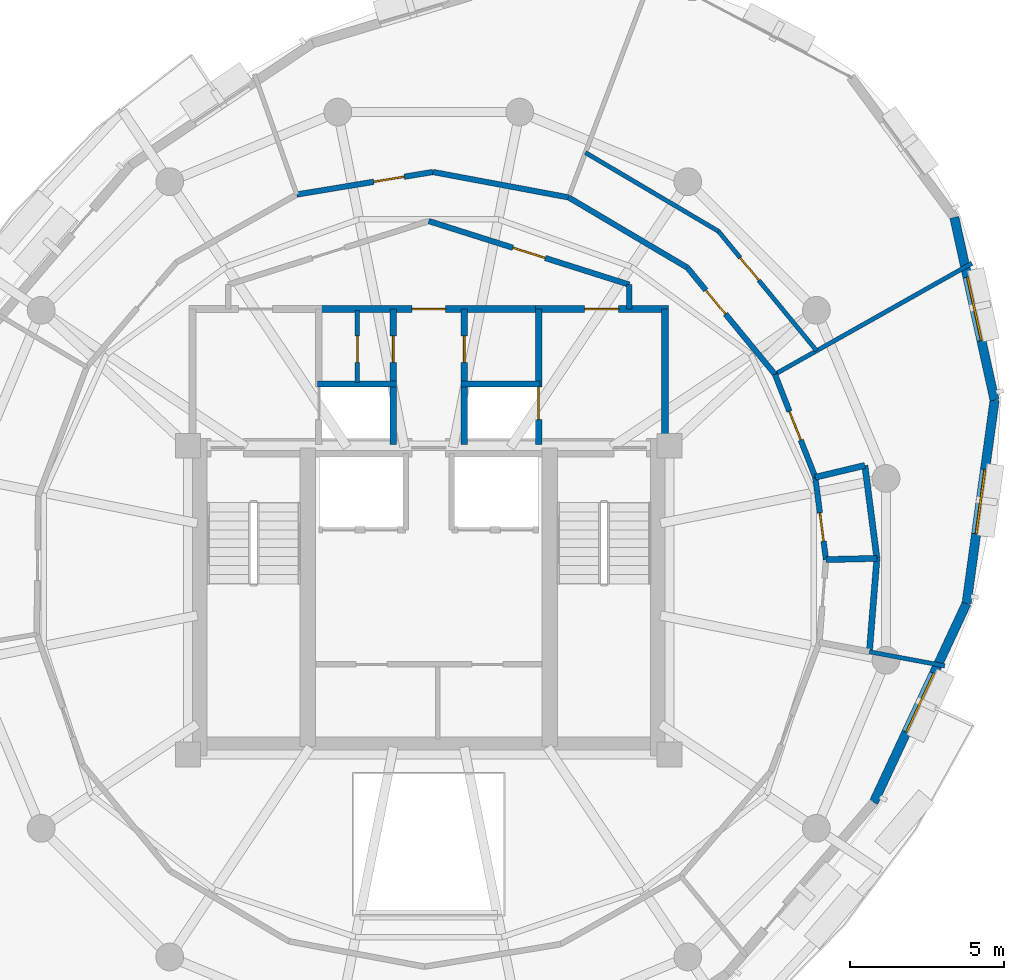
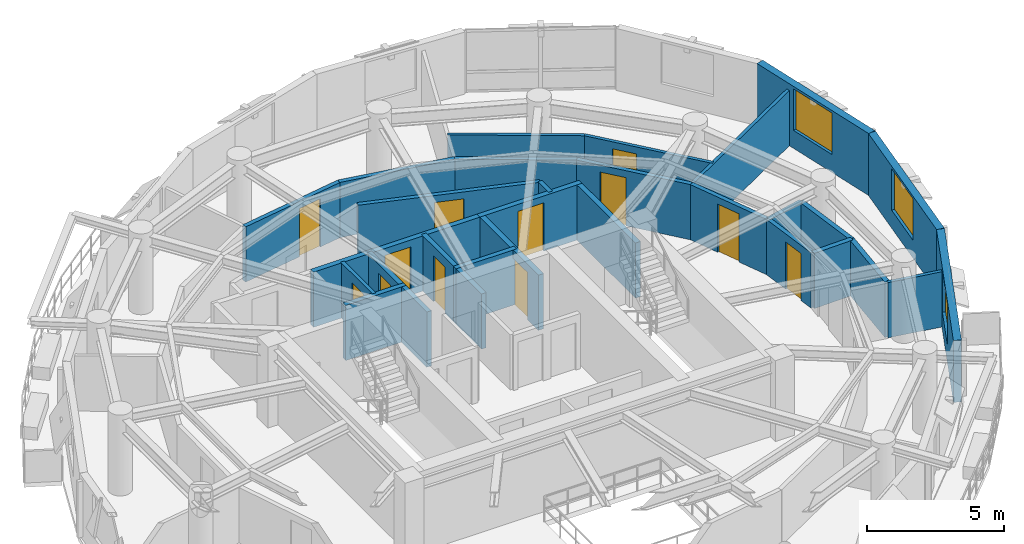
# One storey, part 8 of 11: 28 walls, 12 doors, 3 windows, 15 openings.
"""IFC4 building model written with IfcOpenShell, lengths in metres."""

from ifc_helpers import new_model, si_unit, direction, frame, frame_2d, origin, place, context, subcontext, project, spatial, rectangle, extrude, material, layer, layer_set, type_object, element, fill, save


model = new_model("IFC4")

# Units and contexts
model_context = context("Model", 3, precision=1e-05, world=origin(), true_north=direction((0.0, 1.0)))
body_context = subcontext(model_context, "Body", "Model", "MODEL_VIEW")
ifc_project = project(units=[si_unit("LENGTHUNIT", "METRE"), si_unit("AREAUNIT", "SQUARE_METRE"), si_unit("VOLUMEUNIT", "CUBIC_METRE"), si_unit("PLANEANGLEUNIT", "RADIAN"), si_unit("MASSUNIT", "GRAM", prefix="KILO"), si_unit("THERMODYNAMICTEMPERATUREUNIT", "KELVIN"), si_unit("POWERUNIT", "WATT")], contexts=[model_context])

# Site, building, storey
site_placement = place(None, origin())
site = spatial("IfcSite", under=ifc_project, at=site_placement, CompositionType="ELEMENT")
building_placement = place(site_placement, origin())
building = spatial("IfcBuilding", under=site, at=building_placement, Name="Ocrelia Relay Tower", CompositionType="ELEMENT")
storey_placement = place(building_placement, frame((0.0, 0.0, 237.60009765625)))
storey = spatial("IfcBuildingStorey", under=building, at=storey_placement, Name="L58", CompositionType="ELEMENT", Elevation=237.60009765625)

# Wall
ifc_material_1 = material(Name="Gypsum Fireboard Partition EI60", Category="gypsum")
ifc_layer_1 = layer(ifc_material_1, 0.179931640625, Name="Gypsum Fireboard Partition EI60")
ifc_layer_set_1 = layer_set([ifc_layer_1], Name="Gypsum Fireboard Partition EI60")
wall_type_1 = type_object("IfcWallType", Name="W-CORR-EI60-180", PredefinedType="PARTITIONING", material=ifc_layer_set_1)
wall_1_placement = place(storey_placement, frame((40.5, 35.218994140625, 0.0), z_axis=(0.0, 0.0, 1.0), x_axis=(0.0, -1.0, 0.0)))
element("IfcWall", 1, at=wall_1_placement, inside=storey, type_object=wall_type_1, Name="L58 Smoke Lobby East Return", PredefinedType="PARTITIONING", context=body_context, shape_type="SweptSolid", body=[
    extrude(rectangle(XDim=0.7890625, YDim=0.179931640625, at=frame_2d((0.39453125, 0.0))), origin(), (0.0, 0.0, 1.0), 2.4599609375),
])

# Wall, opening, door
wall_2_placement = place(storey_placement, frame((34.0, 37.280029296875, 0.0), z_axis=(0.0, 0.0, 1.0), x_axis=(0.953228121756, -0.302251795518, 0.0)))
wall_2 = element("IfcWall", 2, at=wall_2_placement, inside=storey, type_object=wall_type_1, Name="L58 North Smoke Lobby E Screen Wall", PredefinedType="PARTITIONING", context=body_context, shape_type="SweptSolid", body=[
    extrude(rectangle(XDim=6.81884765625, YDim=0.179931640625, at=frame_2d((3.409423828125, 0.0))), origin(), (0.0, 0.0, 1.0), 2.4599609375),
])
opening_1_placement = place(wall_2_placement, frame((2.859619140625, 0.0, 0.0)))
opening_1 = element("IfcOpeningElement", 3, at=opening_1_placement, cuts=wall_2, Name="Opening D-FD60", PredefinedType="OPENING", context=body_context, shape_type="SweptSolid", body=[
    extrude(rectangle(XDim=1.10009765625, YDim=2.14990234375, at=frame_2d((0.550048828125, 1.074951171875))), frame((0.0, 0.10009765625, 0.0), z_axis=(0.0, -1.0, 0.0), x_axis=(1.0, 0.0, 0.0)), (0.0, 0.0, 1.0), 0.199951171875),
])
ifc_material_2 = material(Name="Timber-core 60-min acoustic fire door", Category="wood")
door_type_1 = type_object("IfcDoorType", Name="DR-LOBBY-FD60-1100", OperationType="NOTDEFINED", PredefinedType="DOOR", material=ifc_material_2)
door_1_placement = place(opening_1_placement, origin())
door_1 = element("IfcDoor", 4, at=door_1_placement, inside=storey, type_object=door_type_1, Name="L58 North Smoke Lobby E Fire Door", OperationType="SINGLE_SWING_RIGHT", OverallHeight=2.14990234375, OverallWidth=1.10009765625, PredefinedType="DOOR", context=body_context, shape_type="SweptSolid", body=[
    extrude(rectangle(XDim=1.10009765625, YDim=2.14990234375, at=frame_2d((0.550048828125, 1.074951171875))), frame((0.0, 0.02490234375, 0.0), z_axis=(0.0, -1.0, 0.0), x_axis=(1.0, 0.0, 0.0)), (0.0, 0.0, 1.0), 0.050048828125),
])
fill(opening_1, door_1)

wall_3_placement = place(storey_placement, frame((46.8662109375, 26.314453125, 0.0), z_axis=(0.0, 0.0, 1.0), x_axis=(-0.128846523601, 0.991664546788, 0.0)))
wall_3 = element("IfcWall", 5, at=wall_3_placement, inside=storey, type_object=wall_type_1, Name="L58 Accessible Toilet Corridor Wall", PredefinedType="PARTITIONING", context=body_context, shape_type="SweptSolid", body=[
    extrude(rectangle(XDim=2.690673828125, YDim=0.179931640625, at=frame_2d((1.34521484375, 0.0))), origin(), (0.0, 0.0, 1.0), 2.4599609375),
])
opening_2_placement = place(wall_3_placement, frame((0.603271484375, 0.0, 0.0)))
opening_2 = element("IfcOpeningElement", 6, at=opening_2_placement, cuts=wall_3, Name="Opening D-WC92", PredefinedType="OPENING", context=body_context, shape_type="SweptSolid", body=[
    extrude(rectangle(XDim=0.919921875, YDim=2.10009765625, at=frame_2d((0.4599609375, 1.050048828125))), frame((0.0, 0.10009765625, 0.0), z_axis=(0.0, -1.0, 0.0), x_axis=(1.0, 0.0, 0.0)), (0.0, 0.0, 1.0), 0.199951171875),
])
ifc_material_3 = material(Name="Laminate washroom door", Category="wood")
door_type_2 = type_object("IfcDoorType", Name="DR-WC-920", OperationType="NOTDEFINED", PredefinedType="DOOR", material=ifc_material_3)
door_2_placement = place(opening_2_placement, origin())
door_2 = element("IfcDoor", 7, at=door_2_placement, inside=storey, type_object=door_type_2, Name="L58 Accessible Toilet Door", OperationType="SINGLE_SWING_RIGHT", OverallHeight=2.10009765625, OverallWidth=0.919921875, PredefinedType="DOOR", context=body_context, shape_type="SweptSolid", body=[
    extrude(rectangle(XDim=0.919921875, YDim=2.10009765625, at=frame_2d((0.4599609375, 1.050048828125))), frame((0.0, 0.02490234375, 0.0), z_axis=(0.0, -1.0, 0.0), x_axis=(1.0, 0.0, 0.0)), (0.0, 0.0, 1.0), 0.050048828125),
])
fill(opening_2, door_2)

wall_4_placement = place(storey_placement, frame((46.51953125, 28.982666015625, 0.0), z_axis=(0.0, 0.0, 1.0), x_axis=(-0.364895255198, 0.931048577, 0.0)))
wall_4 = element("IfcWall", 8, at=wall_4_placement, inside=storey, type_object=wall_type_1, Name="L58 Executive Telecom Office A Corridor Partition 1", PredefinedType="PARTITIONING", context=body_context, shape_type="SweptSolid", body=[
    extrude(rectangle(XDim=3.582275390625, YDim=0.179931640625, at=frame_2d((1.791015625, 0.0))), origin(), (0.0, 0.0, 1.0), 2.4599609375),
])
opening_3_placement = place(wall_4_placement, frame((1.291015625, 0.0, 0.0)))
opening_3 = element("IfcOpeningElement", 9, at=opening_3_placement, cuts=wall_4, Name="Opening D-RM100", PredefinedType="OPENING", context=body_context, shape_type="SweptSolid", body=[
    extrude(rectangle(XDim=1.0, YDim=2.14990234375, at=frame_2d((0.5, 1.074951171875))), frame((0.0, 0.10009765625, 0.0), z_axis=(0.0, -1.0, 0.0), x_axis=(1.0, 0.0, 0.0)), (0.0, 0.0, 1.0), 0.199951171875),
])
ifc_material_4 = material(Name="Acoustic oak veneer fire door", Category="wood")
door_type_3 = type_object("IfcDoorType", Name="DR-ROOM-FD60-1000", OperationType="NOTDEFINED", PredefinedType="DOOR", material=ifc_material_4)
door_3_placement = place(opening_3_placement, origin())
door_3 = element("IfcDoor", 10, at=door_3_placement, inside=storey, type_object=door_type_3, Name="L58 Executive Telecom Office A Entrance Door", OperationType="SINGLE_SWING_LEFT", OverallHeight=2.14990234375, OverallWidth=1.0, PredefinedType="DOOR", context=body_context, shape_type="SweptSolid", body=[
    extrude(rectangle(XDim=1.0, YDim=2.14990234375, at=frame_2d((0.5, 1.074951171875))), frame((0.0, 0.02490234375, 0.0), z_axis=(0.0, -1.0, 0.0), x_axis=(1.0, 0.0, 0.0)), (0.0, 0.0, 1.0), 0.050048828125),
])
fill(opening_3, door_3)

wall_5_placement = place(storey_placement, frame((45.21240234375, 32.31787109375, 0.0), z_axis=(0.0, 0.0, 1.0), x_axis=(-0.634714961422, 0.772746347611, 0.0)))
wall_5 = element("IfcWall", 11, at=wall_5_placement, inside=storey, type_object=wall_type_1, Name="L58 Counsel Office B Corridor Partition 1", PredefinedType="PARTITIONING", context=body_context, shape_type="SweptSolid", body=[
    extrude(rectangle(XDim=4.469482421875, YDim=0.179931640625, at=frame_2d((2.23486328125, 0.0))), origin(), (0.0, 0.0, 1.0), 2.4599609375),
])
opening_4_placement = place(wall_5_placement, frame((2.52734375, 0.0, 0.0)))
opening_4 = element("IfcOpeningElement", 12, at=opening_4_placement, cuts=wall_5, Name="Opening D-RM100", PredefinedType="OPENING", context=body_context, shape_type="SweptSolid", body=[
    extrude(rectangle(XDim=1.0, YDim=2.14990234375, at=frame_2d((0.5, 1.074951171875))), frame((0.0, 0.10009765625, 0.0), z_axis=(0.0, -1.0, 0.0), x_axis=(1.0, 0.0, 0.0)), (0.0, 0.0, 1.0), 0.199951171875),
])
door_4_placement = place(opening_4_placement, origin())
door_4 = element("IfcDoor", 13, at=door_4_placement, inside=storey, type_object=door_type_3, Name="L58 Counsel Office B Entrance Door", OperationType="SINGLE_SWING_RIGHT", OverallHeight=2.14990234375, OverallWidth=1.0, PredefinedType="DOOR", context=body_context, shape_type="SweptSolid", body=[
    extrude(rectangle(XDim=1.0, YDim=2.14990234375, at=frame_2d((0.5, 1.074951171875))), frame((0.0, 0.02490234375, 0.0), z_axis=(0.0, -1.0, 0.0), x_axis=(1.0, 0.0, 0.0)), (0.0, 0.0, 1.0), 0.050048828125),
])
fill(opening_4, door_4)

# Walls
for number, where, z_axis, x_axis, name in (
    (14, (42.37548828125, 35.771728515625, 0.0), (0.0, 0.0, 1.0), (-0.860724202021, 0.509071554946, 0.0), "L58 Counsel Office B Corridor Partition 2"),
    (15, (38.5283203125, 38.047119140625, 0.0), (0.0, 0.0, 1.0), (-0.982933965097, 0.183958746079, 0.0), "L58 Finance Office C Corridor Partition 1"),
):
    element("IfcWall", number, at=place(storey_placement, frame(where, z_axis=z_axis, x_axis=x_axis)), inside=storey, type_object=wall_type_1, Name=name, PredefinedType="PARTITIONING", context=body_context, shape_type="SweptSolid", body=[
        extrude(rectangle(XDim=4.4697265625, YDim=0.179931640625, at=frame_2d((2.23486328125, 0.0))), origin(), (0.0, 0.0, 1.0), 2.4599609375),
    ])

# Wall, opening, door
wall_6_placement = place(storey_placement, frame((34.134765625, 38.869384765625, 0.0), z_axis=(0.0, 0.0, 1.0), x_axis=(-0.986573435215, -0.163318268813, 0.0)))
wall_6 = element("IfcWall", 16, at=wall_6_placement, inside=storey, type_object=wall_type_1, Name="L58 Finance Office C Corridor Partition 2", PredefinedType="PARTITIONING", context=body_context, shape_type="SweptSolid", body=[
    extrude(rectangle(XDim=4.4697265625, YDim=0.179931640625, at=frame_2d((2.23486328125, 0.0))), origin(), (0.0, 0.0, 1.0), 2.4599609375),
])
opening_5_placement = place(wall_6_placement, frame((0.9423828125, 0.0, 0.0)))
opening_5 = element("IfcOpeningElement", 17, at=opening_5_placement, cuts=wall_6, Name="Opening D-RM100", PredefinedType="OPENING", context=body_context, shape_type="SweptSolid", body=[
    extrude(rectangle(XDim=1.0, YDim=2.14990234375, at=frame_2d((0.5, 1.074951171875))), frame((0.0, 0.10009765625, 0.0), z_axis=(0.0, -1.0, 0.0), x_axis=(1.0, 0.0, 0.0)), (0.0, 0.0, 1.0), 0.199951171875),
])
door_5_placement = place(opening_5_placement, origin())
door_5 = element("IfcDoor", 18, at=door_5_placement, inside=storey, type_object=door_type_3, Name="L58 Finance Office C Entrance Door", OperationType="SINGLE_SWING_RIGHT", OverallHeight=2.14990234375, OverallWidth=1.0, PredefinedType="DOOR", context=body_context, shape_type="SweptSolid", body=[
    extrude(rectangle(XDim=1.0, YDim=2.14990234375, at=frame_2d((0.5, 1.074951171875))), frame((0.0, 0.02490234375, 0.0), z_axis=(0.0, -1.0, 0.0), x_axis=(1.0, 0.0, 0.0)), (0.0, 0.0, 1.0), 0.050048828125),
])
fill(opening_5, door_5)

# Wall, opening, window
ifc_material_5 = material(Name="Precast concrete C40/50 with oxide terracotta", Category="masonry")
ifc_layer_2 = layer(ifc_material_5, 0.300048828125, Name="Precast concrete C40/50 with oxide terracotta")
ifc_layer_set_2 = layer_set([ifc_layer_2], Name="Precast concrete C40/50 with oxide terracotta")
wall_type_2 = type_object("IfcWallType", Name="W-EXT-TERR-300", PredefinedType="SOLIDWALL", material=ifc_layer_set_2)
wall_7_placement = place(storey_placement, frame((48.41162109375, 18.450439453125, 0.0), z_axis=(0.0, 0.0, 1.0), x_axis=(0.422755852514, 0.90624361469, 0.0)))
wall_7 = element("IfcWall", 19, at=wall_7_placement, inside=storey, type_object=wall_type_2, Name="L58 Oxide Terracotta Facade Wall 15", PredefinedType="SOLIDWALL", context=body_context, shape_type="SweptSolid", body=[
    extrude(rectangle(XDim=7.115234375, YDim=0.300048828125, at=frame_2d((3.5576171875, 0.0))), origin(), (0.0, 0.0, 1.0), 2.760009765625),
])
opening_6_placement = place(wall_7_placement, frame((2.508056640625, 0.0, 0.800048828125)))
opening_6 = element("IfcOpeningElement", 20, at=opening_6_placement, cuts=wall_7, Name="Opening W-07", PredefinedType="OPENING", context=body_context, shape_type="SweptSolid", body=[
    extrude(rectangle(XDim=2.10009765625, YDim=1.85009765625, at=frame_2d((1.050048828125, 0.925048828125))), frame((0.0, 0.16015625, 0.0), z_axis=(0.0, -1.0, 0.0), x_axis=(1.0, 0.0, 0.0)), (0.0, 0.0, 1.0), 0.320068359375),
])
ifc_material_6 = material(Name="Clear double-glazed low-E glass", Category="glass")
window_type = type_object("IfcWindowType", Name="WIN-Z4-2100x2200", PartitioningType="DOUBLE_PANEL_VERTICAL", PredefinedType="WINDOW", material=ifc_material_6)
window_1_placement = place(opening_6_placement, origin())
window_1 = element("IfcWindow", 21, at=window_1_placement, inside=storey, type_object=window_type, Name="L58 Facade Module Window 15", OverallHeight=1.85009765625, OverallWidth=2.10009765625, PartitioningType="SINGLE_PANEL", PredefinedType="WINDOW", context=body_context, shape_type="SweptSolid", body=[
    extrude(rectangle(XDim=2.10009765625, YDim=1.85009765625, at=frame_2d((1.050048828125, 0.925048828125))), frame((0.0, 0.030029296875, 0.0), z_axis=(0.0, -1.0, 0.0), x_axis=(1.0, 0.0, 0.0)), (0.0, 0.0, 1.0), 0.06005859375),
])
fill(opening_6, window_1)

wall_8_placement = place(storey_placement, frame((51.419677734375, 24.898681640625, 0.0), z_axis=(0.0, 0.0, 1.0), x_axis=(0.136531687657, 0.990635704114, 0.0)))
wall_8 = element("IfcWall", 22, at=wall_8_placement, inside=storey, type_object=wall_type_2, Name="L58 Oxide Terracotta Facade Wall 16", PredefinedType="SOLIDWALL", context=body_context, shape_type="SweptSolid", body=[
    extrude(rectangle(XDim=6.64306640625, YDim=0.300048828125, at=frame_2d((3.321533203125, 0.0))), origin(), (0.0, 0.0, 1.0), 2.760009765625),
])
opening_7_placement = place(wall_8_placement, frame((2.27197265625, 0.0, 0.800048828125)))
opening_7 = element("IfcOpeningElement", 23, at=opening_7_placement, cuts=wall_8, Name="Opening W-07", PredefinedType="OPENING", context=body_context, shape_type="SweptSolid", body=[
    extrude(rectangle(XDim=2.10009765625, YDim=1.85009765625, at=frame_2d((1.050048828125, 0.925048828125))), frame((0.0, 0.16015625, 0.0), z_axis=(0.0, -1.0, 0.0), x_axis=(1.0, 0.0, 0.0)), (0.0, 0.0, 1.0), 0.320068359375),
])
window_2_placement = place(opening_7_placement, origin())
window_2 = element("IfcWindow", 24, at=window_2_placement, inside=storey, type_object=window_type, Name="L58 Facade Module Window 16", OverallHeight=1.85009765625, OverallWidth=2.10009765625, PartitioningType="SINGLE_PANEL", PredefinedType="WINDOW", context=body_context, shape_type="SweptSolid", body=[
    extrude(rectangle(XDim=2.10009765625, YDim=1.85009765625, at=frame_2d((1.050048828125, 0.925048828125))), frame((0.0, 0.030029296875, 0.0), z_axis=(0.0, -1.0, 0.0), x_axis=(1.0, 0.0, 0.0)), (0.0, 0.0, 1.0), 0.06005859375),
])
fill(opening_7, window_2)

wall_9_placement = place(storey_placement, frame((52.32666015625, 31.4794921875, 0.0), z_axis=(0.0, 0.0, 1.0), x_axis=(-0.215062302222, 0.976600330823, 0.0)))
wall_9 = element("IfcWall", 25, at=wall_9_placement, inside=storey, type_object=wall_type_2, Name="L58 Oxide Terracotta Facade Wall 17", PredefinedType="SOLIDWALL", context=body_context, shape_type="SweptSolid", body=[
    extrude(rectangle(XDim=6.06201171875, YDim=0.300048828125, at=frame_2d((3.031005859375, 0.0))), origin(), (0.0, 0.0, 1.0), 2.760009765625),
])
opening_8_placement = place(wall_9_placement, frame((1.98095703125, 0.0, 0.800048828125)))
opening_8 = element("IfcOpeningElement", 26, at=opening_8_placement, cuts=wall_9, Name="Opening W-07", PredefinedType="OPENING", context=body_context, shape_type="SweptSolid", body=[
    extrude(rectangle(XDim=2.10009765625, YDim=1.85009765625, at=frame_2d((1.050048828125, 0.925048828125))), frame((0.0, 0.16015625, 0.0), z_axis=(0.0, -1.0, 0.0), x_axis=(1.0, 0.0, 0.0)), (0.0, 0.0, 1.0), 0.320068359375),
])
window_3_placement = place(opening_8_placement, origin())
window_3 = element("IfcWindow", 27, at=window_3_placement, inside=storey, type_object=window_type, Name="L58 Facade Module Window 17", OverallHeight=1.85009765625, OverallWidth=2.10009765625, PartitioningType="SINGLE_PANEL", PredefinedType="WINDOW", context=body_context, shape_type="SweptSolid", body=[
    extrude(rectangle(XDim=2.10009765625, YDim=1.85009765625, at=frame_2d((1.050048828125, 0.925048828125))), frame((0.0, 0.030029296875, 0.0), z_axis=(0.0, -1.0, 0.0), x_axis=(1.0, 0.0, 0.0)), (0.0, 0.0, 1.0), 0.06005859375),
])
fill(opening_8, window_3)

# Wall, opening, door
ifc_material_7 = material(Name="Concrete C50/60", Category="concrete")
ifc_layer_3 = layer(ifc_material_7, 0.219970703125, Name="Concrete C50/60")
ifc_layer_set_3 = layer_set([ifc_layer_3], Name="Concrete C50/60")
wall_type_3 = type_object("IfcWallType", Name="W-FFL-EI120-220", PredefinedType="SOLIDWALL", material=ifc_layer_set_3)
wall_10_placement = place(storey_placement, frame((37.56005859375, 30.050048828125, 0.0), z_axis=(0.0, 0.0, 1.0), x_axis=(0.0, 1.0, 0.0)))
wall_10 = element("IfcWall", 28, at=wall_10_placement, inside=storey, type_object=wall_type_3, Name="L58 E Fire Service Lift Lobby West Wall", PredefinedType="SOLIDWALL", context=body_context, shape_type="SweptSolid", body=[
    extrude(rectangle(XDim=4.3798828125, YDim=0.219970703125, at=frame_2d((2.18994140625, 0.0))), origin(), (0.0, 0.0, 1.0), 2.4599609375),
])
opening_9_placement = place(wall_10_placement, frame((0.800048828125, 0.0, 0.0)))
opening_9 = element("IfcOpeningElement", 29, at=opening_9_placement, cuts=wall_10, Name="Opening LD-FFL2", PredefinedType="OPENING", context=body_context, shape_type="SweptSolid", body=[
    extrude(rectangle(XDim=1.050048828125, YDim=2.10009765625, at=frame_2d((0.52490234375, 1.050048828125))), frame((0.0, 0.1201171875, 0.0), z_axis=(0.0, -1.0, 0.0), x_axis=(1.0, 0.0, 0.0)), (0.0, 0.0, 1.0), 0.239990234375),
])
ifc_material_8 = material(Name="Brushed stainless steel S355 lift landing door", Category="steel")
door_type_4 = type_object("IfcDoorType", Name="DR-LIFT-LAND-1050", OperationType="DOUBLE_DOOR_SLIDING", PredefinedType="USERDEFINED", material=ifc_material_8)
door_6_placement = place(opening_9_placement, origin())
door_6 = element("IfcDoor", 30, at=door_6_placement, inside=storey, type_object=door_type_4, Name="L58 Firefighting Lift FFL2 Sliding Landing Door", ObjectType="LANDING DOOR", OperationType="DOUBLE_DOOR_SLIDING", OverallHeight=2.10009765625, OverallWidth=1.050048828125, PredefinedType="USERDEFINED", context=body_context, shape_type="SweptSolid", body=[
    extrude(rectangle(XDim=1.050048828125, YDim=2.10009765625, at=frame_2d((0.52490234375, 1.050048828125))), frame((0.0, 0.02490234375, 0.0), z_axis=(0.0, -1.0, 0.0), x_axis=(1.0, 0.0, 0.0)), (0.0, 0.0, 1.0), 0.050048828125),
])
fill(opening_9, door_6)

# Wall
wall_11_placement = place(storey_placement, frame((41.64990234375, 30.050048828125, 0.0), z_axis=(0.0, 0.0, 1.0), x_axis=(0.0, 1.0, 0.0)))
element("IfcWall", 31, at=wall_11_placement, inside=storey, type_object=wall_type_3, Name="L58 E Fire Service Lift Lobby East Wall", PredefinedType="SOLIDWALL", context=body_context, shape_type="SweptSolid", body=[
    extrude(rectangle(XDim=4.3798828125, YDim=0.219970703125, at=frame_2d((2.18994140625, 0.0))), origin(), (0.0, 0.0, 1.0), 2.4599609375),
])

# Wall, opening, door
wall_12_placement = place(storey_placement, frame((37.449951171875, 34.429931640625, 0.0), z_axis=(0.0, 0.0, 1.0), x_axis=(1.0, 0.0, 0.0)))
wall_12 = element("IfcWall", 32, at=wall_12_placement, inside=storey, type_object=wall_type_3, Name="L58 E Fire Service Lift Lobby North Wall", PredefinedType="SOLIDWALL", context=body_context, shape_type="SweptSolid", body=[
    extrude(rectangle(XDim=4.31005859375, YDim=0.219970703125, at=frame_2d((2.155029296875, 0.0))), origin(), (0.0, 0.0, 1.0), 2.4599609375),
])
opening_10_placement = place(wall_12_placement, frame((1.60009765625, 0.0, 0.0)))
opening_10 = element("IfcOpeningElement", 33, at=opening_10_placement, cuts=wall_12, Name="Opening D-FD60", PredefinedType="OPENING", context=body_context, shape_type="SweptSolid", body=[
    extrude(rectangle(XDim=1.10009765625, YDim=2.14990234375, at=frame_2d((0.550048828125, 1.074951171875))), frame((0.0, 0.1201171875, 0.0), z_axis=(0.0, -1.0, 0.0), x_axis=(1.0, 0.0, 0.0)), (0.0, 0.0, 1.0), 0.239990234375),
])
door_7_placement = place(opening_10_placement, origin())
door_7 = element("IfcDoor", 34, at=door_7_placement, inside=storey, type_object=door_type_1, Name="L58 E Fire Service Lift Lobby Exit Door", OperationType="SINGLE_SWING_LEFT", OverallHeight=2.14990234375, OverallWidth=1.10009765625, PredefinedType="DOOR", context=body_context, shape_type="SweptSolid", body=[
    extrude(rectangle(XDim=1.10009765625, YDim=2.14990234375, at=frame_2d((0.550048828125, 1.074951171875))), frame((0.0, 0.02490234375, 0.0), z_axis=(0.0, -1.0, 0.0), x_axis=(1.0, 0.0, 0.0)), (0.0, 0.0, 1.0), 0.050048828125),
])
fill(opening_10, door_7)

wall_13_placement = place(storey_placement, frame((30.43994140625, 34.429931640625, 0.0), z_axis=(0.0, 0.0, 1.0), x_axis=(1.0, 0.0, 0.0)))
wall_13 = element("IfcWall", 35, at=wall_13_placement, inside=storey, type_object=wall_type_3, Name="L58 North Core Vestibule Wall", PredefinedType="SOLIDWALL", context=body_context, shape_type="SweptSolid", body=[
    extrude(rectangle(XDim=7.1201171875, YDim=0.219970703125, at=frame_2d((3.56005859375, 0.0))), origin(), (0.0, 0.0, 1.0), 2.4599609375),
])
opening_11_placement = place(wall_13_placement, frame((3.010009765625, 0.0, 0.0)))
opening_11 = element("IfcOpeningElement", 36, at=opening_11_placement, cuts=wall_13, Name="Opening D-FD60", PredefinedType="OPENING", context=body_context, shape_type="SweptSolid", body=[
    extrude(rectangle(XDim=1.10009765625, YDim=2.14990234375, at=frame_2d((0.550048828125, 1.074951171875))), frame((0.0, 0.1201171875, 0.0), z_axis=(0.0, -1.0, 0.0), x_axis=(1.0, 0.0, 0.0)), (0.0, 0.0, 1.0), 0.239990234375),
])
door_8_placement = place(opening_11_placement, origin())
door_8 = element("IfcDoor", 37, at=door_8_placement, inside=storey, type_object=door_type_1, Name="L58 North Core Vestibule Corridor Door", OperationType="SINGLE_SWING_LEFT", OverallHeight=2.14990234375, OverallWidth=1.10009765625, PredefinedType="DOOR", context=body_context, shape_type="SweptSolid", body=[
    extrude(rectangle(XDim=1.10009765625, YDim=2.14990234375, at=frame_2d((0.550048828125, 1.074951171875))), frame((0.0, 0.02490234375, 0.0), z_axis=(0.0, -1.0, 0.0), x_axis=(1.0, 0.0, 0.0)), (0.0, 0.0, 1.0), 0.050048828125),
])
fill(opening_11, door_8)

# Walls
ifc_material_9 = material(Name="Acoustic Fireboard Partition EI60", Category="gypsum")
ifc_layer_4 = layer(ifc_material_9, 0.139892578125, Name="Acoustic Fireboard Partition EI60")
ifc_layer_set_4 = layer_set([ifc_layer_4], Name="Acoustic Fireboard Partition EI60")
wall_type_4 = type_object("IfcWallType", Name="W-PART-140", PredefinedType="PARTITIONING", material=ifc_layer_set_4)
wall_14_placement = place(storey_placement, frame((48.272216796875, 23.3291015625, 0.0), z_axis=(0.0, 0.0, 1.0), x_axis=(0.982925642926, -0.184003207795, 0.0)))
element("IfcWall", 38, at=wall_14_placement, inside=storey, type_object=wall_type_4, Name="L58 Executive Telecom Office A Radial Partition", PredefinedType="PARTITIONING", context=body_context, shape_type="SweptSolid", body=[
    extrude(rectangle(XDim=2.479736328125, YDim=0.139892578125, at=frame_2d((1.23974609375, 0.0))), origin(), (0.0, 0.0, 1.0), 2.4599609375),
])
wall_15_placement = place(storey_placement, frame((45.21240234375, 32.31787109375, 0.0), z_axis=(0.0, 0.0, 1.0), x_axis=(0.871214471027, 0.490902582468, 0.0)))
element("IfcWall", 39, at=wall_15_placement, inside=storey, type_object=wall_type_4, Name="L58 Executive Telecom Office A Radial Partition", PredefinedType="PARTITIONING", context=body_context, shape_type="SweptSolid", body=[
    extrude(rectangle(XDim=7.318115234375, YDim=0.139892578125, at=frame_2d((3.6591796875, 0.0))), origin(), (0.0, 0.0, 1.0), 2.4599609375),
])

# Wall, opening, door
wall_16_placement = place(storey_placement, frame((46.56298828125, 33.078857421875, 0.0), z_axis=(0.0, 0.0, 1.0), x_axis=(-0.634725908392, 0.772737355908, 0.0)))
wall_16 = element("IfcWall", 40, at=wall_16_placement, inside=storey, type_object=wall_type_4, Name="L58 Perimeter Counsel Office B Mid-Ring Partition 1", PredefinedType="PARTITIONING", context=body_context, shape_type="SweptSolid", body=[
    extrude(rectangle(XDim=5.008056640625, YDim=0.139892578125, at=frame_2d((2.50390625, 0.0))), origin(), (0.0, 0.0, 1.0), 2.4599609375),
])
opening_12_placement = place(wall_16_placement, frame((2.95361328125, 0.0, 0.0)))
opening_12 = element("IfcOpeningElement", 41, at=opening_12_placement, cuts=wall_16, Name="Opening D-RM95", PredefinedType="OPENING", context=body_context, shape_type="SweptSolid", body=[
    extrude(rectangle(XDim=0.949951171875, YDim=2.14990234375, at=frame_2d((0.47509765625, 1.074951171875))), frame((0.0, 0.080078125, 0.0), z_axis=(0.0, -1.0, 0.0), x_axis=(1.0, 0.0, 0.0)), (0.0, 0.0, 1.0), 0.159912109375),
])
door_type_5 = type_object("IfcDoorType", Name="DR-ROOM-950", OperationType="NOTDEFINED", PredefinedType="DOOR", material=ifc_material_4)
door_9_placement = place(opening_12_placement, origin())
door_9 = element("IfcDoor", 42, at=door_9_placement, inside=storey, type_object=door_type_5, Name="L58 Perimeter Counsel Office B Connecting Door", OperationType="SINGLE_SWING_LEFT", OverallHeight=2.14990234375, OverallWidth=0.949951171875, PredefinedType="DOOR", context=body_context, shape_type="SweptSolid", body=[
    extrude(rectangle(XDim=0.949951171875, YDim=2.14990234375, at=frame_2d((0.47509765625, 1.074951171875))), frame((0.0, 0.02490234375, 0.0), z_axis=(0.0, -1.0, 0.0), x_axis=(1.0, 0.0, 0.0)), (0.0, 0.0, 1.0), 0.050048828125),
])
fill(opening_12, door_9)

# Wall
wall_17_placement = place(storey_placement, frame((43.38427734375, 36.94873046875, 0.0), z_axis=(0.0, 0.0, 1.0), x_axis=(-0.860748876633, 0.509029833483, 0.0)))
element("IfcWall", 43, at=wall_17_placement, inside=storey, type_object=wall_type_4, Name="L58 Perimeter Counsel Office B Mid-Ring Partition 2", PredefinedType="PARTITIONING", context=body_context, shape_type="SweptSolid", body=[
    extrude(rectangle(XDim=5.00830078125, YDim=0.139892578125, at=frame_2d((2.504150390625, 0.0))), origin(), (0.0, 0.0, 1.0), 2.4599609375),
])

# Wall, opening, door
ifc_layer_5 = layer(ifc_material_9, 0.14990234375, Name="Acoustic Fireboard Partition EI60")
ifc_layer_set_5 = layer_set([ifc_layer_5], Name="Acoustic Fireboard Partition EI60")
wall_type_5 = type_object("IfcWallType", Name="W-PART-150", PredefinedType="PARTITIONING", material=ifc_layer_set_5)
wall_18_placement = place(storey_placement, frame((31.68994140625, 32.050048828125, 0.0), z_axis=(0.0, 0.0, 1.0), x_axis=(0.0, 1.0, 0.0)))
wall_18 = element("IfcWall", 44, at=wall_18_placement, inside=storey, type_object=wall_type_5, Name="L58 West Core Support Partition", PredefinedType="PARTITIONING", context=body_context, shape_type="SweptSolid", body=[
    extrude(rectangle(XDim=2.329833984375, YDim=0.14990234375, at=frame_2d((1.1650390625, 0.0))), origin(), (0.0, 0.0, 1.0), 2.4599609375),
])
opening_13_placement = place(wall_18_placement, frame((0.64990234375, 0.0, 0.0)))
opening_13 = element("IfcOpeningElement", 45, at=opening_13_placement, cuts=wall_18, Name="Opening D-RS86", PredefinedType="OPENING", context=body_context, shape_type="SweptSolid", body=[
    extrude(rectangle(XDim=0.860107421875, YDim=2.050048828125, at=frame_2d((0.43017578125, 1.02490234375))), frame((0.0, 0.0849609375, 0.0), z_axis=(0.0, -1.0, 0.0), x_axis=(1.0, 0.0, 0.0)), (0.0, 0.0, 1.0), 0.169921875),
])
ifc_material_10 = material(Name="Steel S355 riser access fire door", Category="steel")
door_type_6 = type_object("IfcDoorType", Name="DR-RISER-TRAP-860", OperationType="NOTDEFINED", PredefinedType="TRAPDOOR", material=ifc_material_10)
door_10_placement = place(opening_13_placement, origin())
door_10 = element("IfcDoor", 46, at=door_10_placement, inside=storey, type_object=door_type_6, Name="L58 West Core Store Connecting Door", OperationType="SINGLE_SWING_RIGHT", OverallHeight=2.050048828125, OverallWidth=0.860107421875, PredefinedType="TRAPDOOR", context=body_context, shape_type="SweptSolid", body=[
    extrude(rectangle(XDim=0.860107421875, YDim=2.050048828125, at=frame_2d((0.43017578125, 1.02490234375))), frame((0.0, 0.02490234375, 0.0), z_axis=(0.0, -1.0, 0.0), x_axis=(1.0, 0.0, 0.0)), (0.0, 0.0, 1.0), 0.050048828125),
])
fill(opening_13, door_10)

# Walls
ifc_material_11 = material(Name="Moisture-Resistant Fireboard Chase Wall EI60", Category="gypsum")
ifc_layer_6 = layer(ifc_material_11, 0.199951171875, Name="Moisture-Resistant Fireboard Chase Wall EI60")
ifc_layer_set_6 = layer_set([ifc_layer_6], Name="Moisture-Resistant Fireboard Chase Wall EI60")
wall_type_6 = type_object("IfcWallType", Name="W-PLUMB-200", PredefinedType="PLUMBINGWALL", material=ifc_layer_set_6)
wall_19_placement = place(storey_placement, frame((46.8662109375, 26.314453125, 0.0), z_axis=(0.0, 0.0, 1.0), x_axis=(0.999701898349, 0.024415454889, 0.0)))
element("IfcWall", 47, at=wall_19_placement, inside=storey, type_object=wall_type_6, Name="L58 Staff Toilet Plumbing Radial Wall", PredefinedType="PLUMBINGWALL", context=body_context, shape_type="SweptSolid", body=[
    extrude(rectangle(XDim=1.64990234375, YDim=0.199951171875, at=frame_2d((0.824951171875, 0.0))), origin(), (0.0, 0.0, 1.0), 2.4599609375),
])
wall_20_placement = place(storey_placement, frame((48.272216796875, 23.3291015625, 0.0), z_axis=(0.0, 0.0, 1.0), x_axis=(0.080189566083, 0.996779631359, 0.0)))
element("IfcWall", 48, at=wall_20_placement, inside=storey, type_object=wall_type_6, Name="L58 Staff Toilet Back Plumbing Wall", PredefinedType="PLUMBINGWALL", context=body_context, shape_type="SweptSolid", body=[
    extrude(rectangle(XDim=3.035400390625, YDim=0.199951171875, at=frame_2d((1.517578125, 0.0))), origin(), (0.0, 0.0, 1.0), 2.4599609375),
])
wall_21_placement = place(storey_placement, frame((46.51953125, 28.982666015625, 0.0), z_axis=(0.0, 0.0, 1.0), x_axis=(0.972788749697, 0.231693867989, 0.0)))
element("IfcWall", 49, at=wall_21_placement, inside=storey, type_object=wall_type_6, Name="L58 Accessible Toilet Plumbing Radial Wall", PredefinedType="PLUMBINGWALL", context=body_context, shape_type="SweptSolid", body=[
    extrude(rectangle(XDim=1.650146484375, YDim=0.199951171875, at=frame_2d((0.8251953125, 0.0))), origin(), (0.0, 0.0, 1.0), 2.4599609375),
])
wall_22_placement = place(storey_placement, frame((48.515625, 26.354736328125, 0.0), z_axis=(0.0, 0.0, 1.0), x_axis=(-0.128764955516, 0.991675141481, 0.0)))
element("IfcWall", 50, at=wall_22_placement, inside=storey, type_object=wall_type_6, Name="L58 Accessible Toilet Back Plumbing Wall", PredefinedType="PLUMBINGWALL", context=body_context, shape_type="SweptSolid", body=[
    extrude(rectangle(XDim=3.03564453125, YDim=0.199951171875, at=frame_2d((1.517822265625, 0.0))), origin(), (0.0, 0.0, 1.0), 2.4599609375),
])
ifc_layer_7 = layer(ifc_material_7, 0.199951171875, Name="Concrete C50/60")
ifc_layer_set_7 = layer_set([ifc_layer_7], Name="Concrete C50/60")
wall_type_7 = type_object("IfcWallType", Name="W-SHAFT-EI120-200", PredefinedType="SOLIDWALL", material=ifc_layer_set_7)
wall_23_placement = place(storey_placement, frame((30.39990234375, 32.0, 0.0), z_axis=(0.0, 0.0, 1.0), x_axis=(1.0, 0.0, 0.0)))
element("IfcWall", 51, at=wall_23_placement, inside=storey, type_object=wall_type_7, Name="L58 FFL1 Hoistway North Wall", PredefinedType="SOLIDWALL", context=body_context, shape_type="SweptSolid", body=[
    extrude(rectangle(XDim=2.550048828125, YDim=0.199951171875, at=frame_2d((1.27490234375, 0.0))), origin(), (0.0, 0.0, 1.0), 2.4599609375),
])

# Wall, opening, door
wall_24_placement = place(storey_placement, frame((32.85009765625, 30.050048828125, 0.0), z_axis=(0.0, 0.0, 1.0), x_axis=(0.0, 1.0, 0.0)))
wall_24 = element("IfcWall", 52, at=wall_24_placement, inside=storey, type_object=wall_type_7, Name="L58 FFL1 and Service Vestibule Wall", PredefinedType="SOLIDWALL", context=body_context, shape_type="SweptSolid", body=[
    extrude(rectangle(XDim=4.3798828125, YDim=0.199951171875, at=frame_2d((2.18994140625, 0.0))), origin(), (0.0, 0.0, 1.0), 2.4599609375),
])
opening_14_placement = place(wall_24_placement, frame((2.64990234375, 0.0, 0.0)))
opening_14 = element("IfcOpeningElement", 53, at=opening_14_placement, cuts=wall_24, Name="Opening D-RS86", PredefinedType="OPENING", context=body_context, shape_type="SweptSolid", body=[
    extrude(rectangle(XDim=0.860107421875, YDim=2.050048828125, at=frame_2d((0.43017578125, 1.02490234375))), frame((0.0, 0.10986328125, 0.0), z_axis=(0.0, -1.0, 0.0), x_axis=(1.0, 0.0, 0.0)), (0.0, 0.0, 1.0), 0.219970703125),
])
door_11_placement = place(opening_14_placement, origin())
door_11 = element("IfcDoor", 54, at=door_11_placement, inside=storey, type_object=door_type_6, Name="L58 Core Support Room W Door", OperationType="SINGLE_SWING_RIGHT", OverallHeight=2.050048828125, OverallWidth=0.860107421875, PredefinedType="TRAPDOOR", context=body_context, shape_type="SweptSolid", body=[
    extrude(rectangle(XDim=0.860107421875, YDim=2.050048828125, at=frame_2d((0.43017578125, 1.02490234375))), frame((0.0, 0.02490234375, 0.0), z_axis=(0.0, -1.0, 0.0), x_axis=(1.0, 0.0, 0.0)), (0.0, 0.0, 1.0), 0.050048828125),
])
fill(opening_14, door_11)

# Wall
wall_25_placement = place(storey_placement, frame((35.050048828125, 32.0, 0.0), z_axis=(0.0, 0.0, 1.0), x_axis=(1.0, 0.0, 0.0)))
element("IfcWall", 55, at=wall_25_placement, inside=storey, type_object=wall_type_7, Name="L58 FFL2 Hoistway North Wall", PredefinedType="SOLIDWALL", context=body_context, shape_type="SweptSolid", body=[
    extrude(rectangle(XDim=2.550048828125, YDim=0.199951171875, at=frame_2d((1.27490234375, 0.0))), origin(), (0.0, 0.0, 1.0), 2.4599609375),
])

# Wall, opening, door
wall_26_placement = place(storey_placement, frame((35.14990234375, 30.050048828125, 0.0), z_axis=(0.0, 0.0, 1.0), x_axis=(0.0, 1.0, 0.0)))
wall_26 = element("IfcWall", 56, at=wall_26_placement, inside=storey, type_object=wall_type_7, Name="L58 FFL2 and Service Vestibule Wall", PredefinedType="SOLIDWALL", context=body_context, shape_type="SweptSolid", body=[
    extrude(rectangle(XDim=4.3798828125, YDim=0.199951171875, at=frame_2d((2.18994140625, 0.0))), origin(), (0.0, 0.0, 1.0), 2.4599609375),
])
opening_15_placement = place(wall_26_placement, frame((2.64990234375, 0.0, 0.0)))
opening_15 = element("IfcOpeningElement", 57, at=opening_15_placement, cuts=wall_26, Name="Opening D-RS86", PredefinedType="OPENING", context=body_context, shape_type="SweptSolid", body=[
    extrude(rectangle(XDim=0.860107421875, YDim=2.050048828125, at=frame_2d((0.43017578125, 1.02490234375))), frame((0.0, 0.10986328125, 0.0), z_axis=(0.0, -1.0, 0.0), x_axis=(1.0, 0.0, 0.0)), (0.0, 0.0, 1.0), 0.219970703125),
])
door_12_placement = place(opening_15_placement, origin())
door_12 = element("IfcDoor", 58, at=door_12_placement, inside=storey, type_object=door_type_6, Name="L58 Core Support Room E Door", OperationType="SINGLE_SWING_RIGHT", OverallHeight=2.050048828125, OverallWidth=0.860107421875, PredefinedType="TRAPDOOR", context=body_context, shape_type="SweptSolid", body=[
    extrude(rectangle(XDim=0.860107421875, YDim=2.050048828125, at=frame_2d((0.43017578125, 1.02490234375))), frame((0.0, 0.02490234375, 0.0), z_axis=(0.0, -1.0, 0.0), x_axis=(1.0, 0.0, 0.0)), (0.0, 0.0, 1.0), 0.050048828125),
])
fill(opening_15, door_12)

save(model, "model.ifc")
